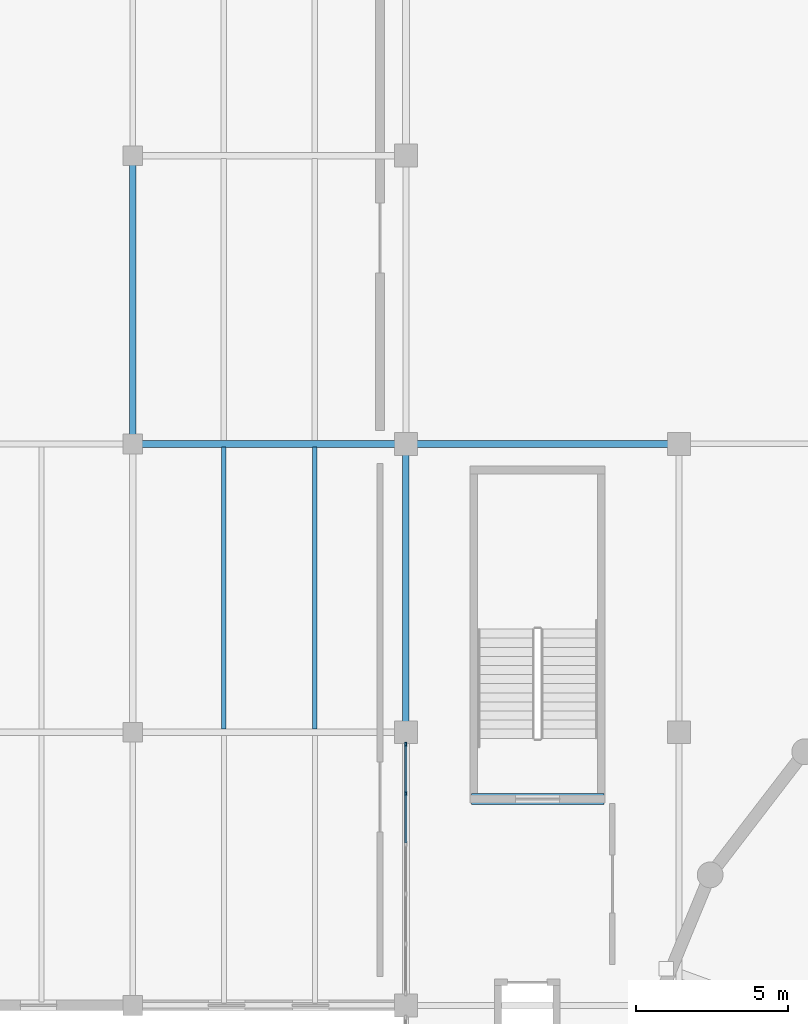
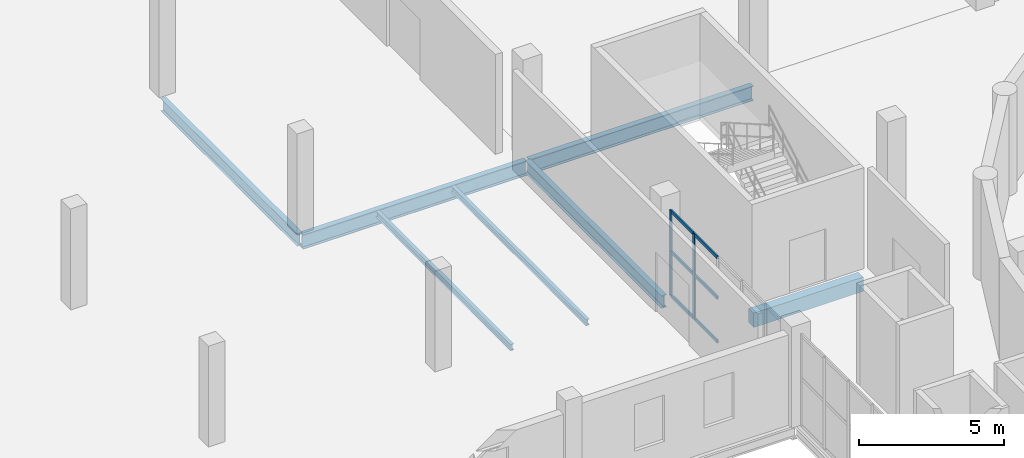
# One storey, part 39 of 85: 8 members, 7 beams, 1 element without a shape of its own.
"""IFC4 building model written with IfcOpenShell, lengths in metres."""

import ifcopenshell
import ifcopenshell.guid

model = None  # the IFC model being written
_history = None  # IfcOwnerHistory: only IFC2X3 demands one
_inside = {}  # id of a spatial element -> (the spatial element, [elements in it])
_under = {}  # id of a project, library or spatial element -> (it, [spatial elements below it])
_declared = {}  # id of a project -> (the project, [libraries it declares])
_typed = {}  # id of a type object -> (the type object, [elements of that type])
_made_of = {}  # id of a material, layer set ... -> (it, [elements and type objects made of it])


def new_model(schema):
    """Start an empty IFC model of exactly this schema.

    Asked for "IFC4X3", IfcOpenShell would pick the latest addendum, in which some entities
    have other attributes; the version numbers below select the first issue.
    IFC2X3 requires an IfcOwnerHistory on every rooted entity: one is made here for all.
    """
    global model, _history
    if schema == "IFC4X3":
        model = ifcopenshell.file(schema_version=(4, 3, 0, 0))
    else:
        model = ifcopenshell.file(schema=schema)
    _inside.clear()
    _under.clear()
    _declared.clear()
    _typed.clear()
    _made_of.clear()
    _history = None
    if model.schema == "IFC2X3":
        org = make("IfcOrganization", Name="unknown")
        user = make(
            "IfcPersonAndOrganization",
            ThePerson=make("IfcPerson", FamilyName="unknown"),
            TheOrganization=org,
        )
        app = make(
            "IfcApplication",
            ApplicationDeveloper=org,
            Version="unknown",
            ApplicationFullName="unknown",
            ApplicationIdentifier="unknown",
        )
        _history = make(
            "IfcOwnerHistory",
            OwningUser=user,
            OwningApplication=app,
            ChangeAction="ADDED",
            CreationDate=0,
        )
    return model


def make(cls, **values):
    """One entity of the class cls with the attributes given. An attribute that is None is left unset."""
    return model.create_entity(
        cls, **{name: value for name, value in values.items() if value is not None}
    )


def rooted(cls, **values):
    """An entity with a GlobalId (a new one), such as an element, a storey or a relation."""
    return make(cls, GlobalId=ifcopenshell.guid.new(), OwnerHistory=_history, **values)


def si_unit(unit_type, name, prefix=None):
    """IfcSIUnit, for example si_unit("LENGTHUNIT", "METRE", prefix="MILLI")."""
    return make("IfcSIUnit", UnitType=unit_type, Prefix=prefix, Name=name)


def assignment(units):
    """IfcUnitAssignment: the units of a project."""
    return None if units is None else make("IfcUnitAssignment", Units=units)


def point(xyz):
    """IfcCartesianPoint."""
    return None if xyz is None else make("IfcCartesianPoint", Coordinates=xyz)


def direction(xyz):
    """IfcDirection."""
    return None if xyz is None else make("IfcDirection", DirectionRatios=xyz)


def frame(location, z_axis=None, x_axis=None):
    """IfcAxis2Placement3D, a coordinate frame: its origin and axes. An axis left out is left unset."""
    return make(
        "IfcAxis2Placement3D",
        Location=point(location),
        Axis=direction(z_axis),
        RefDirection=direction(x_axis),
    )


def frame_2d(location, x_axis=None):
    """IfcAxis2Placement2D, a coordinate frame in the plane: its origin and x axis."""
    return make(
        "IfcAxis2Placement2D", Location=point(location), RefDirection=direction(x_axis)
    )


def origin():
    """The frame at (0, 0, 0) with its axes left unset."""
    return frame((0.0, 0.0, 0.0))


def origin_2d():
    """The frame at (0, 0) in the plane with its x axis left unset."""
    return frame_2d((0.0, 0.0))


def place(relative_to, where):
    """IfcLocalPlacement: puts the frame where relative to a parent placement (None: the world)."""
    return make(
        "IfcLocalPlacement", PlacementRelTo=relative_to, RelativePlacement=where
    )


def context(
    kind, dimensions, precision=None, world=None, true_north=None, identifier=None
):
    """IfcGeometricRepresentationContext, for example the 3D "Model" context."""
    return make(
        "IfcGeometricRepresentationContext",
        ContextIdentifier=identifier,
        ContextType=kind,
        CoordinateSpaceDimension=dimensions,
        Precision=precision,
        WorldCoordinateSystem=world,
        TrueNorth=true_north,
    )


def subcontext(parent, identifier, kind, view, scale=None):
    """IfcGeometricRepresentationSubContext, for example "Body" below "Model"."""
    return make(
        "IfcGeometricRepresentationSubContext",
        ContextIdentifier=identifier,
        ContextType=kind,
        ParentContext=parent,
        TargetScale=scale,
        TargetView=view,
    )


def project(units=None, contexts=None):
    """IfcProject with its units and contexts."""
    return rooted(
        "IfcProject",
        Name="project",
        RepresentationContexts=contexts,
        UnitsInContext=assignment(units),
    )


def spatial(cls, under=None, at=None, **own):
    """A site, building, storey or space (cls), placed at a placement, below another one or the project."""
    s = rooted(cls, ObjectPlacement=at, **own)
    if under is not None:
        _under.setdefault(under.id(), (under, []))[1].append(s)
    return s


def profile(cls, at=None, kind="AREA", **sizes):
    """A parametric profile (cls). Its sizes go by their IFC names, for example OverallWidth=200.0."""
    return make(cls, ProfileType=kind, Position=at, **sizes)


def rectangle(**sizes):
    """IfcRectangleProfileDef."""
    return profile("IfcRectangleProfileDef", **sizes)


def i_section(**sizes):
    """IfcIShapeProfileDef."""
    return profile("IfcIShapeProfileDef", **sizes)


def extrude(swept, where, along, depth):
    """IfcExtrudedAreaSolid: the profile swept, set in the frame where, extruded along a direction by depth."""
    return make(
        "IfcExtrudedAreaSolid",
        SweptArea=swept,
        Position=where,
        ExtrudedDirection=direction(along),
        Depth=depth,
    )


def shape(context_of_items, identifier, shape_type, items):
    """IfcShapeRepresentation: the items that make up one representation, for example the "Body"."""
    return make(
        "IfcShapeRepresentation",
        ContextOfItems=context_of_items,
        RepresentationIdentifier=identifier,
        RepresentationType=shape_type,
        Items=items,
    )


def material(Name=None, Category=None):
    """IfcMaterial."""
    return make("IfcMaterial", Name=Name, Category=Category)


def layer(
    of_material, thickness, ventilated=None, Name=None, Category=None, Priority=None
):
    """IfcMaterialLayer: one layer of a wall or slab, of a material (None: an air gap)."""
    return make(
        "IfcMaterialLayer",
        Material=of_material,
        LayerThickness=thickness,
        IsVentilated=ventilated,
        Name=Name,
        Category=Category,
        Priority=Priority,
    )


def layer_set(layers, Name=None):
    """IfcMaterialLayerSet."""
    return make("IfcMaterialLayerSet", MaterialLayers=layers, LayerSetName=Name)


def material_profile(
    of_material, cross_section, Name=None, Category=None, Priority=None
):
    """IfcMaterialProfile: a cross section and its material."""
    return make(
        "IfcMaterialProfile",
        Name=Name,
        Material=of_material,
        Profile=cross_section,
        Priority=Priority,
        Category=Category,
    )


def profile_set(profiles, Name=None, composite=None):
    """IfcMaterialProfileSet."""
    return make(
        "IfcMaterialProfileSet",
        Name=Name,
        MaterialProfiles=profiles,
        CompositeProfile=composite,
    )


def made_of(thing, what):
    """Note that an element or type object is made of a material, layer set ...; save() writes the relation."""
    if what is not None:
        _made_of.setdefault(what.id(), (what, []))[1].append(thing)
    return thing


def type_object(cls, material=None, **own):
    """A type object (cls), such as IfcWallType, which elements share."""
    return made_of(rooted(cls, **own), material)


def element(
    cls,
    number,
    at=None,
    inside=None,
    cuts=None,
    type_object=None,
    material=None,
    context=None,
    identifier="Body",
    shape_type=None,
    held_by="IfcProductDefinitionShape",
    body=None,
    shapes=None,
    **own,
):
    """One element of the class cls, such as IfcWall. Its Tag is "e" and its number.

    at: its placement. inside: the storey or other place that contains it. cuts: it is an
    opening in that element (IfcRelVoidsElement). A single representation is given by context,
    identifier, shape_type and body (its items); several are given by shapes. held_by: the class
    of the entity that holds the representations. save() writes the other relations.
    """
    e = rooted(cls, Tag="e%d" % number, ObjectPlacement=at, **own)
    if body is not None:
        shapes = [shape(context, identifier, shape_type, body)]
    if shapes is not None:
        e.Representation = make(held_by, Representations=shapes)
    if inside is not None:
        _inside.setdefault(inside.id(), (inside, []))[1].append(e)
    if cuts is not None:
        rooted(
            "IfcRelVoidsElement", RelatingBuildingElement=cuts, RelatedOpeningElement=e
        )
    if type_object is not None:
        _typed.setdefault(type_object.id(), (type_object, []))[1].append(e)
    return made_of(e, material)


def aggregate(whole, parts):
    """IfcRelAggregates: a whole, such as a stair, and the parts it consists of."""
    return rooted("IfcRelAggregates", RelatingObject=whole, RelatedObjects=parts)


def save(model, path):
    """Write the relations noted so far, then the file.

    IfcRelAggregates (storeys below a building ...), IfcRelContainedInSpatialStructure (elements
    in a storey), IfcRelDefinesByType, IfcRelAssociatesMaterial and IfcRelDeclares: one each for
    every whole, place, type object, material and project.
    """
    for whole, parts in _under.values():
        aggregate(whole, parts)
    for where, things in _inside.values():
        rooted(
            "IfcRelContainedInSpatialStructure",
            RelatedElements=things,
            RelatingStructure=where,
        )
    for kind, things in _typed.values():
        rooted("IfcRelDefinesByType", RelatedObjects=things, RelatingType=kind)
    for what, things in _made_of.values():
        rooted("IfcRelAssociatesMaterial", RelatedObjects=things, RelatingMaterial=what)
    for by, libraries in _declared.values():
        rooted("IfcRelDeclares", RelatingContext=by, RelatedDefinitions=libraries)
    model.write(path)


model = new_model("IFC4")

# Units and contexts
model_context = context("Model", 3, precision=1e-05, world=origin(), true_north=direction((0.0, 1.0)))
body_context = subcontext(model_context, "Body", "Model", "MODEL_VIEW")
ifc_project = project(units=[si_unit("LENGTHUNIT", "METRE"), si_unit("AREAUNIT", "SQUARE_METRE"), si_unit("VOLUMEUNIT", "CUBIC_METRE"), si_unit("PLANEANGLEUNIT", "RADIAN"), si_unit("MASSUNIT", "GRAM", prefix="KILO")], contexts=[model_context])

# Site, building, storey
site_placement = place(None, origin())
site = spatial("IfcSite", under=ifc_project, at=site_placement, CompositionType="ELEMENT")
building_placement = place(site_placement, origin())
building = spatial("IfcBuilding", under=site, at=building_placement, Name="Marnock Terrace Opera House", CompositionType="ELEMENT")
storey_placement = place(building_placement, frame((0.0, 0.0, 10.199951171875)))
storey = spatial("IfcBuildingStorey", under=building, at=storey_placement, Name="L02", CompositionType="ELEMENT", Elevation=10.199951171875)

# Beams
ifc_material_1 = material(Name="Steel Grade 350 (AS/NZS 3679.1)", Category="steel")
ifc_material_profile_1 = material_profile(ifc_material_1, i_section(OverallWidth=0.208984375, OverallDepth=0.528076171875, WebThickness=0.009521484375, FlangeThickness=0.01318359375, FilletRadius=0.013916015625, at=origin_2d()))
ifc_profile_set_1 = profile_set([ifc_material_profile_1], Name="Steel Grade 350 (AS/NZS 3679.1)")
beam_type_1 = type_object("IfcBeamType", Name="BM-GIRD-530B", PredefinedType="BEAM", material=ifc_profile_set_1)
for number, where, z_axis, x_axis, name in (
    (1, (46.0, 84.550048828125, -0.52392578125), (0.0, 1.0, 0.0), (-1.0, 0.0, 0.0), "L02 girder (X=46.0, 84.5..94.0)"),
    (2, (55.0, 75.050048828125, -0.52392578125), (0.0, 1.0, 0.0), (-1.0, 0.0, 0.0), "L02 girder (X=55.0, 75.0..84.5)"),
):
    element("IfcBeam", number, at=place(storey_placement, frame(where, z_axis=z_axis, x_axis=x_axis)), inside=storey, type_object=beam_type_1, Name=name, PredefinedType="BEAM", context=body_context, shape_type="SweptSolid", body=[
        extrude(i_section(OverallWidth=0.208984375, OverallDepth=0.528076171875, WebThickness=0.009521484375, FlangeThickness=0.01318359375, FilletRadius=0.013916015625, at=origin_2d()), origin(), (0.0, 0.0, 1.0), 9.39990234375),
    ])
ifc_material_profile_2 = material_profile(ifc_material_1, i_section(OverallWidth=0.22900390625, OverallDepth=0.611572265625, WebThickness=0.011962890625, FlangeThickness=0.01953125, FilletRadius=0.013916015625, at=origin_2d()))
ifc_profile_set_2 = profile_set([ifc_material_profile_2], Name="Steel Grade 350 (AS/NZS 3679.1)")
beam_type_2 = type_object("IfcBeamType", Name="BM-GIRD-610A", PredefinedType="BEAM", material=ifc_profile_set_2)
beam_1_placement = place(storey_placement, frame((55.050048828125, 84.5, -0.565673828125), z_axis=(1.0, 0.0, 0.0), x_axis=(0.0, 1.0, 0.0)))
element("IfcBeam", 3, at=beam_1_placement, inside=storey, type_object=beam_type_2, Name="L02 girder (55.0..64.0, Y=84.5)", PredefinedType="BEAM", context=body_context, shape_type="SweptSolid", body=[
    extrude(i_section(OverallWidth=0.22900390625, OverallDepth=0.611572265625, WebThickness=0.011962890625, FlangeThickness=0.01953125, FilletRadius=0.013916015625, at=origin_2d()), origin(), (0.0, 0.0, 1.0), 8.89990234375),
])
ifc_material_profile_3 = material_profile(ifc_material_1, i_section(OverallWidth=0.22802734375, OverallDepth=0.60693359375, WebThickness=0.01123046875, FlangeThickness=0.017333984375, FilletRadius=0.013916015625, at=origin_2d()))
ifc_profile_set_3 = profile_set([ifc_material_profile_3], Name="Steel Grade 350 (AS/NZS 3679.1)")
beam_type_3 = type_object("IfcBeamType", Name="BM-GIRD-610B", PredefinedType="BEAM", material=ifc_profile_set_3)
beam_2_placement = place(storey_placement, frame((46.050048828125, 84.5, -0.5634765625), z_axis=(1.0, 0.0, 0.0), x_axis=(0.0, 1.0, 0.0)))
element("IfcBeam", 4, at=beam_2_placement, inside=storey, type_object=beam_type_3, Name="L02 girder (46.0..55.0, Y=84.5)", PredefinedType="BEAM", context=body_context, shape_type="SweptSolid", body=[
    extrude(i_section(OverallWidth=0.22802734375, OverallDepth=0.60693359375, WebThickness=0.01123046875, FlangeThickness=0.017333984375, FilletRadius=0.013916015625, at=origin_2d()), origin(), (0.0, 0.0, 1.0), 8.89990234375),
])
ifc_material_profile_4 = material_profile(ifc_material_1, i_section(OverallWidth=0.14599609375, OverallDepth=0.256103515625, WebThickness=0.00634765625, FlangeThickness=0.010986328125, FilletRadius=0.0087890625, at=origin_2d()))
ifc_profile_set_4 = profile_set([ifc_material_profile_4], Name="Steel Grade 350 (AS/NZS 3679.1)")
beam_type_4 = type_object("IfcBeamType", Name="BM-JOIST-250", PredefinedType="JOIST", material=ifc_profile_set_4)
for number, where, z_axis, x_axis, name in (
    (5, (49.0, 75.109619140625, -0.387939453125), (0.0, 1.0, 0.0), (-1.0, 0.0, 0.0), "L02 secondary joist 5.9.1"),
    (6, (52.0, 75.109619140625, -0.387939453125), (0.0, 1.0, 0.0), (-1.0, 0.0, 0.0), "L02 secondary joist 5.9.2"),
):
    element("IfcBeam", number, at=place(storey_placement, frame(where, z_axis=z_axis, x_axis=x_axis)), inside=storey, type_object=beam_type_4, Name=name, PredefinedType="JOIST", context=body_context, shape_type="SweptSolid", body=[
        extrude(i_section(OverallWidth=0.14599609375, OverallDepth=0.256103515625, WebThickness=0.00634765625, FlangeThickness=0.010986328125, FilletRadius=0.0087890625, at=origin_2d()), origin(), (0.0, 0.0, 1.0), 9.281494140625),
    ])
ifc_material_2 = material(Name="Concrete N40 (f'c = 40 MPa)", Category="concrete")
ifc_material_profile_5 = material_profile(ifc_material_2, rectangle(XDim=0.35009765625, YDim=0.60009765625, at=origin_2d()))
ifc_profile_set_5 = profile_set([ifc_material_profile_5], Name="Concrete N40 (f'c = 40 MPa)")
beam_type_5 = type_object("IfcBeamType", Name="BM-LINT-RC350", PredefinedType="LINTEL", material=ifc_profile_set_5)
beam_3_placement = place(storey_placement, frame((57.159912109375, 72.800048828125, -0.60986328125), z_axis=(1.0, 0.0, 0.0), x_axis=(0.0, 1.0, 0.0)))
element("IfcBeam", 7, at=beam_3_placement, inside=storey, type_object=beam_type_5, Name="L01 Core C3 coupling lintel", PredefinedType="LINTEL", context=body_context, shape_type="SweptSolid", body=[
    extrude(rectangle(XDim=0.35009765625, YDim=0.60009765625, at=origin_2d()), origin(), (0.0, 0.0, 1.0), 4.360107421875),
])

# Curtain wall, members
ifc_material_3 = material(Name="Anodised architectural bronze aluminium framing", Category="aluminium")
ifc_layer = layer(ifc_material_3, 0.159912109375)
ifc_layer_set = layer_set([ifc_layer], Name="Anodised architectural bronze aluminium framing")
curtain_wall_type = type_object("IfcCurtainWallType", Name="CW-FOYER-90x42", PredefinedType="NOTDEFINED", material=ifc_layer_set)
curtain_wall_placement = place(storey_placement, origin())
curtain_wall = element("IfcCurtainWall", 8, at=curtain_wall_placement, inside=storey, type_object=curtain_wall_type, Name="L02 glazed Beaux-Arts colonnade curtain wall CW-V1W-L02-08", PredefinedType="NOTDEFINED")
ifc_material_profile_6 = material_profile(ifc_material_3, rectangle(XDim=0.06005859375, YDim=0.14990234375, at=origin_2d()))
ifc_profile_set_6 = profile_set([ifc_material_profile_6], Name="Anodised architectural bronze aluminium framing")
member_type_1 = type_object("IfcMemberType", Name="CWM-60x150", PredefinedType="MULLION", material=ifc_profile_set_6)
member_1_placement = place(storey_placement, frame((55.0, 72.977294921875, 0.0), z_axis=(0.0, 0.0, 1.0), x_axis=(-1.0, 0.0, 0.0)))
member_1 = element("IfcMember", 9, at=member_1_placement, type_object=member_type_1, Name="CW-68 mullion 5", PredefinedType="MULLION", context=body_context, shape_type="SweptSolid", body=[
    extrude(rectangle(XDim=0.06005859375, YDim=0.14990234375, at=origin_2d()), origin(), (0.0, 0.0, 1.0), 3.59814453125),
])
member_2_placement = place(storey_placement, frame((55.0, 74.59912109375, 0.0), z_axis=(0.0, 0.0, 1.0), x_axis=(-1.0, 0.0, 0.0)))
member_2 = element("IfcMember", 10, at=member_2_placement, type_object=member_type_1, Name="CW-68 mullion 6", PredefinedType="MULLION", context=body_context, shape_type="SweptSolid", body=[
    extrude(rectangle(XDim=0.06005859375, YDim=0.14990234375, at=origin_2d()), origin(), (0.0, 0.0, 1.0), 3.59814453125),
])
ifc_material_profile_7 = material_profile(ifc_material_3, rectangle(XDim=0.06005859375, YDim=0.1298828125, at=origin_2d()))
ifc_profile_set_7 = profile_set([ifc_material_profile_7], Name="Anodised architectural bronze aluminium framing")
member_type_2 = type_object("IfcMemberType", Name="CWT-60x130", PredefinedType="USERDEFINED", material=ifc_profile_set_7)
member_3_placement = place(storey_placement, frame((55.0, 71.355712890625, 0.030029296875), z_axis=(0.0, 1.0, 0.0), x_axis=(-1.0, 0.0, 0.0)))
member_3 = element("IfcMember", 11, at=member_3_placement, type_object=member_type_2, Name="CW-68 transom 4.1", ObjectType="TRANSOM", PredefinedType="USERDEFINED", context=body_context, shape_type="SweptSolid", body=[
    extrude(rectangle(XDim=0.06005859375, YDim=0.1298828125, at=origin_2d()), origin(), (0.0, 0.0, 1.0), 1.591796875),
])
member_4_placement = place(storey_placement, frame((55.0, 71.355712890625, 1.87109375), z_axis=(0.0, 1.0, 0.0), x_axis=(-1.0, 0.0, 0.0)))
member_4 = element("IfcMember", 12, at=member_4_placement, type_object=member_type_2, Name="CW-68 transom 4.2", ObjectType="TRANSOM", PredefinedType="USERDEFINED", context=body_context, shape_type="SweptSolid", body=[
    extrude(rectangle(XDim=0.06005859375, YDim=0.1298828125, at=origin_2d()), origin(), (0.0, 0.0, 1.0), 1.591796875),
])
member_5_placement = place(storey_placement, frame((55.0, 71.355712890625, 3.568115234375), z_axis=(0.0, 1.0, 0.0), x_axis=(-1.0, 0.0, 0.0)))
member_5 = element("IfcMember", 13, at=member_5_placement, type_object=member_type_2, Name="CW-68 transom 4.3", ObjectType="TRANSOM", PredefinedType="USERDEFINED", context=body_context, shape_type="SweptSolid", body=[
    extrude(rectangle(XDim=0.06005859375, YDim=0.1298828125, at=origin_2d()), origin(), (0.0, 0.0, 1.0), 1.591796875),
])
member_6_placement = place(storey_placement, frame((55.0, 73.00732421875, 0.030029296875), z_axis=(0.0, 1.0, 0.0), x_axis=(-1.0, 0.0, 0.0)))
member_6 = element("IfcMember", 14, at=member_6_placement, type_object=member_type_2, Name="CW-68 transom 5.1", ObjectType="TRANSOM", PredefinedType="USERDEFINED", context=body_context, shape_type="SweptSolid", body=[
    extrude(rectangle(XDim=0.06005859375, YDim=0.1298828125, at=origin_2d()), origin(), (0.0, 0.0, 1.0), 1.561767578125),
])
member_7_placement = place(storey_placement, frame((55.0, 73.00732421875, 1.87109375), z_axis=(0.0, 1.0, 0.0), x_axis=(-1.0, 0.0, 0.0)))
member_7 = element("IfcMember", 15, at=member_7_placement, type_object=member_type_2, Name="CW-68 transom 5.2", ObjectType="TRANSOM", PredefinedType="USERDEFINED", context=body_context, shape_type="SweptSolid", body=[
    extrude(rectangle(XDim=0.06005859375, YDim=0.1298828125, at=origin_2d()), origin(), (0.0, 0.0, 1.0), 1.561767578125),
])
member_8_placement = place(storey_placement, frame((55.0, 73.00732421875, 3.568115234375), z_axis=(0.0, 1.0, 0.0), x_axis=(-1.0, 0.0, 0.0)))
member_8 = element("IfcMember", 16, at=member_8_placement, type_object=member_type_2, Name="CW-68 transom 5.3", ObjectType="TRANSOM", PredefinedType="USERDEFINED", context=body_context, shape_type="SweptSolid", body=[
    extrude(rectangle(XDim=0.06005859375, YDim=0.1298828125, at=origin_2d()), origin(), (0.0, 0.0, 1.0), 1.561767578125),
])
aggregate(curtain_wall, [member_1, member_2, member_3, member_4, member_5, member_6, member_7, member_8])

save(model, "model.ifc")
